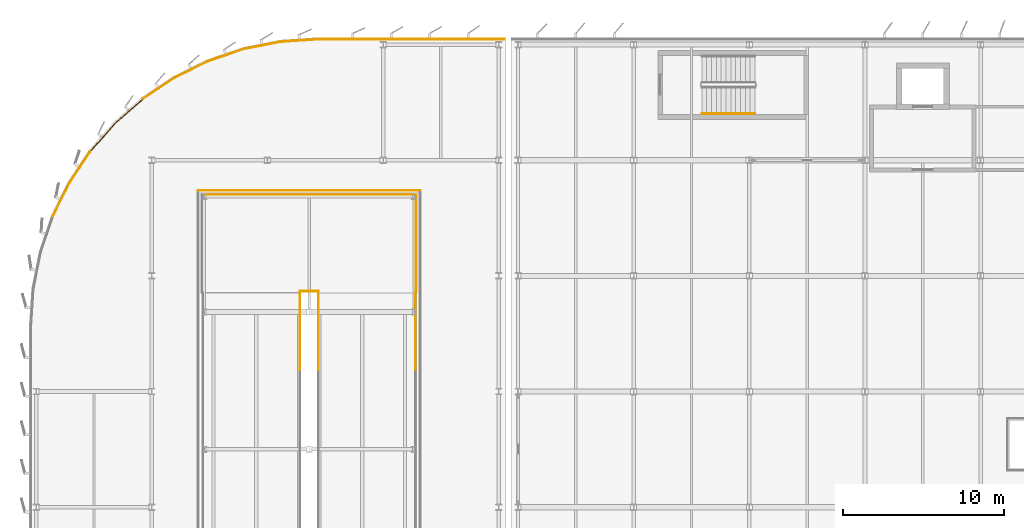
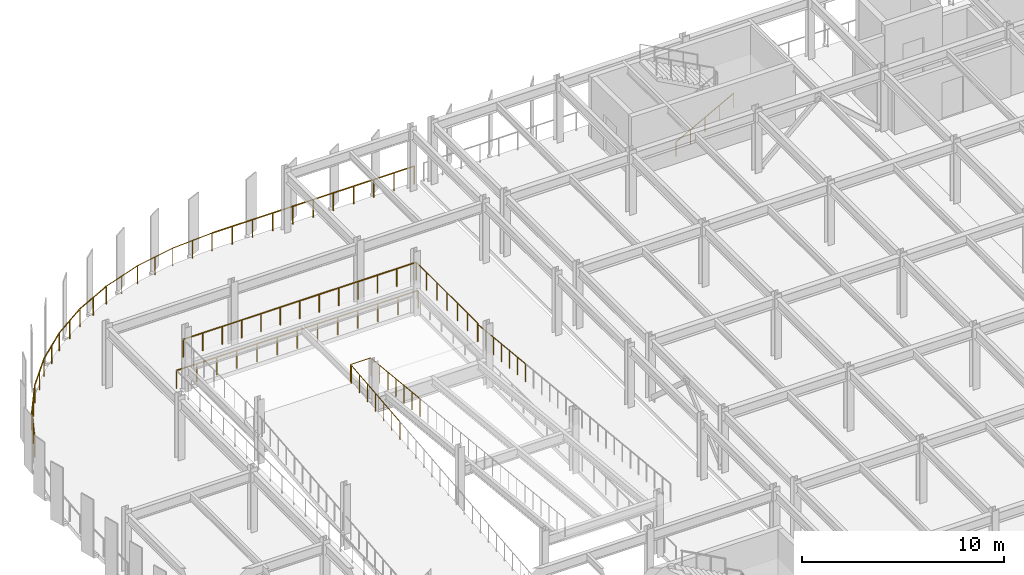
# One storey, part 65 of 80: 18 railings.
"""IFC4 building model written with IfcOpenShell, lengths in metres."""

from ifc_helpers import new_model, si_unit, direction, frame, origin, origin_2d, place, context, subcontext, project, spatial, circle, extrude, material, layer, layer_set, type_object, element, save


model = new_model("IFC4")

# Units and contexts
model_context = context("Model", 3, precision=1e-05, world=origin(), true_north=direction((0.0, 1.0)))
body_context = subcontext(model_context, "Body", "Model", "MODEL_VIEW")
ifc_project = project(units=[si_unit("LENGTHUNIT", "METRE"), si_unit("AREAUNIT", "SQUARE_METRE"), si_unit("VOLUMEUNIT", "CUBIC_METRE"), si_unit("PLANEANGLEUNIT", "RADIAN"), si_unit("MASSUNIT", "GRAM", prefix="KILO")], contexts=[model_context])

# Site, building, storey
site_placement = place(None, origin())
site = spatial("IfcSite", under=ifc_project, at=site_placement, CompositionType="ELEMENT")
building_placement = place(site_placement, origin())
building = spatial("IfcBuilding", under=site, at=building_placement, Name="Vaelcorin Mobility Hub", CompositionType="ELEMENT")
storey_placement = place(building_placement, frame((0.0, 0.0, 9.300048828125)))
storey = spatial("IfcBuildingStorey", under=building, at=storey_placement, Name="L02", CompositionType="ELEMENT", Elevation=9.300048828125)

# Railings
ifc_material_1 = material(Name="Galvanised structural steel ASTM A36", Category="steel")
ifc_layer_1 = layer(ifc_material_1, 0.070068359375)
ifc_layer_set_1 = layer_set([ifc_layer_1], Name="Galvanised structural steel ASTM A36")
railing_type_1 = type_object("IfcRailingType", Name="RL-GUARD-1100", PredefinedType="BALUSTRADE", material=ifc_layer_set_1)
railing_1_placement = place(storey_placement, frame((16.080078125, 110.919921875, 0.0)))
element("IfcRailing", 1, at=railing_1_placement, inside=storey, type_object=railing_type_1, Name="L02 Perimeter Guard GR-V2W-L02-WELL-02", PredefinedType="BALUSTRADE", context=body_context, shape_type="SweptSolid", body=[
    extrude(circle(Radius=0.02392578125, at=origin_2d()), frame((0.0, 0.0, 1.076171875), z_axis=(1.0, 0.0, 0.0), x_axis=(0.0, 1.0, 0.0)), (0.0, 0.0, 1.0), 13.83984375),
    extrude(circle(Radius=0.02099609375, at=origin_2d()), origin(), (0.0, 0.0, 1.0), 1.052001953125),
    extrude(circle(Radius=0.02099609375, at=origin_2d()), frame((1.1533203125, 0.0, 0.0)), (0.0, 0.0, 1.0), 1.052001953125),
    extrude(circle(Radius=0.02099609375, at=origin_2d()), frame((2.306640625, 0.0, 0.0)), (0.0, 0.0, 1.0), 1.052001953125),
    extrude(circle(Radius=0.02099609375, at=origin_2d()), frame((3.4599609375, 0.0, 0.0)), (0.0, 0.0, 1.0), 1.052001953125),
    extrude(circle(Radius=0.02099609375, at=origin_2d()), frame((4.61328125, 0.0, 0.0)), (0.0, 0.0, 1.0), 1.052001953125),
    extrude(circle(Radius=0.02099609375, at=origin_2d()), frame((5.7666015625, 0.0, 0.0)), (0.0, 0.0, 1.0), 1.052001953125),
    extrude(circle(Radius=0.02099609375, at=origin_2d()), frame((6.919921875, 0.0, 0.0)), (0.0, 0.0, 1.0), 1.052001953125),
    extrude(circle(Radius=0.02099609375, at=origin_2d()), frame((8.0732421875, 0.0, 0.0)), (0.0, 0.0, 1.0), 1.052001953125),
    extrude(circle(Radius=0.02099609375, at=origin_2d()), frame((9.2265625, 0.0, 0.0)), (0.0, 0.0, 1.0), 1.052001953125),
    extrude(circle(Radius=0.02099609375, at=origin_2d()), frame((10.3798828125, 0.0, 0.0)), (0.0, 0.0, 1.0), 1.052001953125),
    extrude(circle(Radius=0.02099609375, at=origin_2d()), frame((11.533203125, 0.0, 0.0)), (0.0, 0.0, 1.0), 1.052001953125),
    extrude(circle(Radius=0.02099609375, at=origin_2d()), frame((12.6865234375, 0.0, 0.0)), (0.0, 0.0, 1.0), 1.052001953125),
    extrude(circle(Radius=0.02099609375, at=origin_2d()), frame((13.83984375, 0.0, 0.0)), (0.0, 0.0, 1.0), 1.052001953125),
])
railing_2_placement = place(storey_placement, frame((22.419921875, 99.7451171875, 1.4619140625)))
element("IfcRailing", 2, at=railing_2_placement, inside=storey, type_object=railing_type_1, Name="L02 Ramp Guard GR-V2W-L02-FL1-E-04", PredefinedType="BALUSTRADE", context=body_context, shape_type="SweptSolid", body=[
    extrude(circle(Radius=0.02392578125, at=origin_2d()), frame((0.0, 0.0, 1.076171875), z_axis=(0.0, 0.994860105467, 0.10125892825), x_axis=(-1.0, 0.0, 0.0)), (0.0, 0.0, 1.0), 4.819580078125),
    extrude(circle(Radius=0.02099609375, at=origin_2d()), origin(), (0.0, 0.0, 1.0), 1.052001953125),
    extrude(circle(Radius=0.02099609375, at=origin_2d()), frame((0.0, 0.799072265625, 0.081298828125)), (0.0, 0.0, 1.0), 1.052001953125),
    extrude(circle(Radius=0.02099609375, at=origin_2d()), frame((0.0, 1.598388671875, 0.16259765625)), (0.0, 0.0, 1.0), 1.052001953125),
    extrude(circle(Radius=0.02099609375, at=origin_2d()), frame((0.0, 2.3974609375, 0.244140625)), (0.0, 0.0, 1.0), 1.052001953125),
    extrude(circle(Radius=0.02099609375, at=origin_2d()), frame((0.0, 3.196533203125, 0.325439453125)), (0.0, 0.0, 1.0), 1.052001953125),
    extrude(circle(Radius=0.02099609375, at=origin_2d()), frame((0.0, 3.995849609375, 0.40673828125)), (0.0, 0.0, 1.0), 1.052001953125),
    extrude(circle(Radius=0.02099609375, at=origin_2d()), frame((0.0, 4.794921875, 0.488037109375)), (0.0, 0.0, 1.0), 1.052001953125),
])
for number, where, name in (
    (3, (23.580078125, 104.5400390625, 1.949951171875), "L02 Ramp Guard GR-V2W-L02-FL2-W-01"),
    (4, (29.6201171875, 104.5400390625, 1.949951171875), "L02 Ramp Guard GR-V2W-L02-FL2-E-01"),
):
    element("IfcRailing", number, at=place(storey_placement, frame(where)), inside=storey, type_object=railing_type_1, Name=name, PredefinedType="BALUSTRADE", context=body_context, shape_type="SweptSolid", body=[
        extrude(circle(Radius=0.02392578125, at=origin_2d()), frame((0.0, 0.0, 1.076171875), z_axis=(0.0, -0.994860105467, 0.10125892825), x_axis=(1.0, 0.0, 0.0)), (0.0, 0.0, 1.0), 4.819580078125),
        extrude(circle(Radius=0.02099609375, at=origin_2d()), origin(), (0.0, 0.0, 1.0), 1.052001953125),
        extrude(circle(Radius=0.02099609375, at=origin_2d()), frame((0.0, -0.799072265625, 0.081298828125)), (0.0, 0.0, 1.0), 1.052001953125),
        extrude(circle(Radius=0.02099609375, at=origin_2d()), frame((0.0, -1.598388671875, 0.16259765625)), (0.0, 0.0, 1.0), 1.052001953125),
        extrude(circle(Radius=0.02099609375, at=origin_2d()), frame((0.0, -2.3974609375, 0.244140625)), (0.0, 0.0, 1.0), 1.052001953125),
        extrude(circle(Radius=0.02099609375, at=origin_2d()), frame((0.0, -3.196533203125, 0.325439453125)), (0.0, 0.0, 1.0), 1.052001953125),
        extrude(circle(Radius=0.02099609375, at=origin_2d()), frame((0.0, -3.995849609375, 0.40673828125)), (0.0, 0.0, 1.0), 1.052001953125),
        extrude(circle(Radius=0.02099609375, at=origin_2d()), frame((0.0, -4.794921875, 0.488037109375)), (0.0, 0.0, 1.0), 1.052001953125),
    ])
railing_3_placement = place(storey_placement, frame((16.330078125, 110.669921875, 1.949951171875)))
element("IfcRailing", 5, at=railing_3_placement, inside=storey, type_object=railing_type_1, Name="L02 Perimeter Guard GR-V2W-L02-LND-02", PredefinedType="BALUSTRADE", context=body_context, shape_type="SweptSolid", body=[
    extrude(circle(Radius=0.02392578125, at=origin_2d()), frame((0.0, 0.0, 1.076171875), z_axis=(1.0, 0.0, 0.0), x_axis=(0.0, 1.0, 0.0)), (0.0, 0.0, 1.0), 13.33984375),
    extrude(circle(Radius=0.02099609375, at=origin_2d()), origin(), (0.0, 0.0, 1.0), 1.052001953125),
    extrude(circle(Radius=0.02099609375, at=origin_2d()), frame((1.111572265625, 0.0, 0.0)), (0.0, 0.0, 1.0), 1.052001953125),
    extrude(circle(Radius=0.02099609375, at=origin_2d()), frame((2.223388671875, 0.0, 0.0)), (0.0, 0.0, 1.0), 1.052001953125),
    extrude(circle(Radius=0.02099609375, at=origin_2d()), frame((3.3349609375, 0.0, 0.0)), (0.0, 0.0, 1.0), 1.052001953125),
    extrude(circle(Radius=0.02099609375, at=origin_2d()), frame((4.446533203125, 0.0, 0.0)), (0.0, 0.0, 1.0), 1.052001953125),
    extrude(circle(Radius=0.02099609375, at=origin_2d()), frame((5.558349609375, 0.0, 0.0)), (0.0, 0.0, 1.0), 1.052001953125),
    extrude(circle(Radius=0.02099609375, at=origin_2d()), frame((6.669921875, 0.0, 0.0)), (0.0, 0.0, 1.0), 1.052001953125),
    extrude(circle(Radius=0.02099609375, at=origin_2d()), frame((7.781494140625, 0.0, 0.0)), (0.0, 0.0, 1.0), 1.052001953125),
    extrude(circle(Radius=0.02099609375, at=origin_2d()), frame((8.893310546875, 0.0, 0.0)), (0.0, 0.0, 1.0), 1.052001953125),
    extrude(circle(Radius=0.02099609375, at=origin_2d()), frame((10.0048828125, 0.0, 0.0)), (0.0, 0.0, 1.0), 1.052001953125),
    extrude(circle(Radius=0.02099609375, at=origin_2d()), frame((11.116455078125, 0.0, 0.0)), (0.0, 0.0, 1.0), 1.052001953125),
    extrude(circle(Radius=0.02099609375, at=origin_2d()), frame((12.228271484375, 0.0, 0.0)), (0.0, 0.0, 1.0), 1.052001953125),
    extrude(circle(Radius=0.02099609375, at=origin_2d()), frame((13.33984375, 0.0, 0.0)), (0.0, 0.0, 1.0), 1.052001953125),
])
railing_4_placement = place(storey_placement, frame((29.669921875, 110.669921875, 1.949951171875)))
element("IfcRailing", 6, at=railing_4_placement, inside=storey, type_object=railing_type_1, Name="L02 Perimeter Guard GR-V2W-L02-LND-03", PredefinedType="BALUSTRADE", context=body_context, shape_type="SweptSolid", body=[
    extrude(circle(Radius=0.02392578125, at=origin_2d()), frame((0.0, 0.0, 1.076171875), z_axis=(0.0, -1.0, 0.0), x_axis=(1.0, 0.0, 0.0)), (0.0, 0.0, 1.0), 6.10986328125),
    extrude(circle(Radius=0.02099609375, at=origin_2d()), origin(), (0.0, 0.0, 1.0), 1.052001953125),
    extrude(circle(Radius=0.02099609375, at=origin_2d()), frame((0.0, -1.018310546875, 0.0)), (0.0, 0.0, 1.0), 1.052001953125),
    extrude(circle(Radius=0.02099609375, at=origin_2d()), frame((0.0, -2.03662109375, 0.0)), (0.0, 0.0, 1.0), 1.052001953125),
    extrude(circle(Radius=0.02099609375, at=origin_2d()), frame((0.0, -3.054931640625, 0.0)), (0.0, 0.0, 1.0), 1.052001953125),
    extrude(circle(Radius=0.02099609375, at=origin_2d()), frame((0.0, -4.0732421875, 0.0)), (0.0, 0.0, 1.0), 1.052001953125),
    extrude(circle(Radius=0.02099609375, at=origin_2d()), frame((0.0, -5.091552734375, 0.0)), (0.0, 0.0, 1.0), 1.052001953125),
    extrude(circle(Radius=0.02099609375, at=origin_2d()), frame((0.0, -6.10986328125, 0.0)), (0.0, 0.0, 1.0), 1.052001953125),
])
railing_5_placement = place(storey_placement, frame((22.419921875, 104.639892578125, 1.949951171875)))
element("IfcRailing", 7, at=railing_5_placement, inside=storey, type_object=railing_type_1, Name="L02 Perimeter Guard GR-V2W-L02-LND-MED-01", PredefinedType="BALUSTRADE", context=body_context, shape_type="SweptSolid", body=[
    extrude(circle(Radius=0.02392578125, at=origin_2d()), frame((0.0, 0.0, 1.076171875), z_axis=(1.0, 0.0, 0.0), x_axis=(0.0, 1.0, 0.0)), (0.0, 0.0, 1.0), 1.16015625),
    extrude(circle(Radius=0.02099609375, at=origin_2d()), origin(), (0.0, 0.0, 1.0), 1.052001953125),
    extrude(circle(Radius=0.02099609375, at=origin_2d()), frame((1.16015625, 0.0, 0.0)), (0.0, 0.0, 1.0), 1.052001953125),
])
railing_6_placement = place(storey_placement, frame((7.031005859375, 109.2919921875, 0.0)))
element("IfcRailing", 8, at=railing_6_placement, inside=storey, type_object=railing_type_1, Name="L02 Perimeter Guard GR-V2W-L02-06", PredefinedType="BALUSTRADE", context=body_context, shape_type="SweptSolid", body=[
    extrude(circle(Radius=0.02392578125, at=origin_2d()), frame((0.0, 0.0, 1.076171875), z_axis=(0.442070481095, 0.896980317367, 0.0), x_axis=(-0.896980317367, 0.442070481095, 0.0)), (0.0, 0.0, 1.0), 2.3388671875),
    extrude(circle(Radius=0.02099609375, at=origin_2d()), origin(), (0.0, 0.0, 1.0), 1.052001953125),
    extrude(circle(Radius=0.02099609375, at=origin_2d()), frame((0.51708984375, 1.048828125, 0.0)), (0.0, 0.0, 1.0), 1.052001953125),
    extrude(circle(Radius=0.02099609375, at=origin_2d()), frame((1.033935546875, 2.097900390625, 0.0)), (0.0, 0.0, 1.0), 1.052001953125),
])
railing_7_placement = place(storey_placement, frame((8.06494140625, 111.389892578125, 0.0)))
element("IfcRailing", 9, at=railing_7_placement, inside=storey, type_object=railing_type_1, Name="L02 Perimeter Guard GR-V2W-L02-07", PredefinedType="BALUSTRADE", context=body_context, shape_type="SweptSolid", body=[
    extrude(circle(Radius=0.02392578125, at=origin_2d()), frame((0.0, 0.0, 1.076171875), z_axis=(0.555687158809, 0.831391473095, 0.0), x_axis=(-0.831391473095, 0.555687158809, 0.0)), (0.0, 0.0, 1.0), 2.339599609375),
    extrude(circle(Radius=0.02099609375, at=origin_2d()), origin(), (0.0, 0.0, 1.0), 1.052001953125),
    extrude(circle(Radius=0.02099609375, at=origin_2d()), frame((0.64990234375, 0.97265625, 0.0)), (0.0, 0.0, 1.0), 1.052001953125),
    extrude(circle(Radius=0.02099609375, at=origin_2d()), frame((1.300048828125, 1.945068359375, 0.0)), (0.0, 0.0, 1.0), 1.052001953125),
])
railing_8_placement = place(storey_placement, frame((9.364990234375, 113.3349609375, 0.0)))
element("IfcRailing", 10, at=railing_8_placement, inside=storey, type_object=railing_type_1, Name="L02 Perimeter Guard GR-V2W-L02-08", PredefinedType="BALUSTRADE", context=body_context, shape_type="SweptSolid", body=[
    extrude(circle(Radius=0.02392578125, at=origin_2d()), frame((0.0, 0.0, 1.076171875), z_axis=(0.659398483057, 0.751793615657, 0.0), x_axis=(-0.751793615657, 0.659398483057, 0.0)), (0.0, 0.0, 1.0), 2.33837890625),
    extrude(circle(Radius=0.02099609375, at=origin_2d()), origin(), (0.0, 0.0, 1.0), 1.052001953125),
    extrude(circle(Radius=0.02099609375, at=origin_2d()), frame((0.77099609375, 0.87890625, 0.0)), (0.0, 0.0, 1.0), 1.052001953125),
    extrude(circle(Radius=0.02099609375, at=origin_2d()), frame((1.5419921875, 1.758056640625, 0.0)), (0.0, 0.0, 1.0), 1.052001953125),
])
railing_9_placement = place(storey_placement, frame((10.906982421875, 115.093017578125, 0.0)))
element("IfcRailing", 11, at=railing_9_placement, inside=storey, type_object=railing_type_1, Name="L02 Perimeter Guard GR-V2W-L02-09", PredefinedType="BALUSTRADE", context=body_context, shape_type="SweptSolid", body=[
    extrude(circle(Radius=0.02392578125, at=origin_2d()), frame((0.0, 0.0, 1.076171875), z_axis=(0.751793615657, 0.659398483057, 0.0), x_axis=(-0.659398483057, 0.751793615657, 0.0)), (0.0, 0.0, 1.0), 2.33837890625),
    extrude(circle(Radius=0.02099609375, at=origin_2d()), origin(), (0.0, 0.0, 1.0), 1.052001953125),
    extrude(circle(Radius=0.02099609375, at=origin_2d()), frame((0.87890625, 0.77099609375, 0.0)), (0.0, 0.0, 1.0), 1.052001953125),
    extrude(circle(Radius=0.02099609375, at=origin_2d()), frame((1.758056640625, 1.5419921875, 0.0)), (0.0, 0.0, 1.0), 1.052001953125),
])
railing_10_placement = place(storey_placement, frame((12.6650390625, 116.635009765625, 0.0)))
element("IfcRailing", 12, at=railing_10_placement, inside=storey, type_object=railing_type_1, Name="L02 Perimeter Guard GR-V2W-L02-10", PredefinedType="BALUSTRADE", context=body_context, shape_type="SweptSolid", body=[
    extrude(circle(Radius=0.02392578125, at=origin_2d()), frame((0.0, 0.0, 1.076171875), z_axis=(0.831391473095, 0.555687158809, 0.0), x_axis=(-0.555687158809, 0.831391473095, 0.0)), (0.0, 0.0, 1.0), 2.339599609375),
    extrude(circle(Radius=0.02099609375, at=origin_2d()), origin(), (0.0, 0.0, 1.0), 1.052001953125),
    extrude(circle(Radius=0.02099609375, at=origin_2d()), frame((0.97265625, 0.64990234375, 0.0)), (0.0, 0.0, 1.0), 1.052001953125),
    extrude(circle(Radius=0.02099609375, at=origin_2d()), frame((1.945068359375, 1.300048828125, 0.0)), (0.0, 0.0, 1.0), 1.052001953125),
])
railing_11_placement = place(storey_placement, frame((14.610107421875, 117.93505859375, 0.0)))
element("IfcRailing", 13, at=railing_11_placement, inside=storey, type_object=railing_type_1, Name="L02 Perimeter Guard GR-V2W-L02-11", PredefinedType="BALUSTRADE", context=body_context, shape_type="SweptSolid", body=[
    extrude(circle(Radius=0.02392578125, at=origin_2d()), frame((0.0, 0.0, 1.076171875), z_axis=(0.896980317367, 0.442070481095, 0.0), x_axis=(-0.442070481095, 0.896980317367, 0.0)), (0.0, 0.0, 1.0), 2.3388671875),
    extrude(circle(Radius=0.02099609375, at=origin_2d()), origin(), (0.0, 0.0, 1.0), 1.052001953125),
    extrude(circle(Radius=0.02099609375, at=origin_2d()), frame((1.048828125, 0.51708984375, 0.0)), (0.0, 0.0, 1.0), 1.052001953125),
    extrude(circle(Radius=0.02099609375, at=origin_2d()), frame((2.097900390625, 1.033935546875, 0.0)), (0.0, 0.0, 1.0), 1.052001953125),
])
railing_12_placement = place(storey_placement, frame((16.7080078125, 118.968994140625, 0.0)))
element("IfcRailing", 14, at=railing_12_placement, inside=storey, type_object=railing_type_1, Name="L02 Perimeter Guard GR-V2W-L02-12", PredefinedType="BALUSTRADE", context=body_context, shape_type="SweptSolid", body=[
    extrude(circle(Radius=0.02392578125, at=origin_2d()), frame((0.0, 0.0, 1.076171875), z_axis=(0.946882788431, 0.321578893855, 0.0), x_axis=(-0.321578893855, 0.946882788431, 0.0)), (0.0, 0.0, 1.0), 2.33837890625),
    extrude(circle(Radius=0.02099609375, at=origin_2d()), origin(), (0.0, 0.0, 1.0), 1.052001953125),
    extrude(circle(Radius=0.02099609375, at=origin_2d()), frame((1.10693359375, 0.3759765625, 0.0)), (0.0, 0.0, 1.0), 1.052001953125),
    extrude(circle(Radius=0.02099609375, at=origin_2d()), frame((2.214111328125, 0.751953125, 0.0)), (0.0, 0.0, 1.0), 1.052001953125),
])
railing_13_placement = place(storey_placement, frame((18.922119140625, 119.720947265625, 0.0)))
element("IfcRailing", 15, at=railing_13_placement, inside=storey, type_object=railing_type_1, Name="L02 Perimeter Guard GR-V2W-L02-13", PredefinedType="BALUSTRADE", context=body_context, shape_type="SweptSolid", body=[
    extrude(circle(Radius=0.02392578125, at=origin_2d()), frame((0.0, 0.0, 1.076171875), z_axis=(0.980804861331, 0.194991856212, 0.0), x_axis=(-0.194991856212, 0.980804861331, 0.0)), (0.0, 0.0, 1.0), 2.3388671875),
    extrude(circle(Radius=0.02099609375, at=origin_2d()), origin(), (0.0, 0.0, 1.0), 1.052001953125),
    extrude(circle(Radius=0.02099609375, at=origin_2d()), frame((1.14697265625, 0.22802734375, 0.0)), (0.0, 0.0, 1.0), 1.052001953125),
    extrude(circle(Radius=0.02099609375, at=origin_2d()), frame((2.2939453125, 0.4560546875, 0.0)), (0.0, 0.0, 1.0), 1.052001953125),
])
railing_14_placement = place(storey_placement, frame((21.216064453125, 120.177001953125, 0.0)))
element("IfcRailing", 16, at=railing_14_placement, inside=storey, type_object=railing_type_1, Name="L02 Perimeter Guard GR-V2W-L02-14", PredefinedType="BALUSTRADE", context=body_context, shape_type="SweptSolid", body=[
    extrude(circle(Radius=0.02392578125, at=origin_2d()), frame((0.0, 0.0, 1.076171875), z_axis=(0.99785616691, 0.065445169106, 0.0), x_axis=(-0.065445169106, 0.99785616691, 0.0)), (0.0, 0.0, 1.0), 2.339111328125),
    extrude(circle(Radius=0.02099609375, at=origin_2d()), origin(), (0.0, 0.0, 1.0), 1.052001953125),
    extrude(circle(Radius=0.02099609375, at=origin_2d()), frame((1.1669921875, 0.07666015625, 0.0)), (0.0, 0.0, 1.0), 1.052001953125),
    extrude(circle(Radius=0.02099609375, at=origin_2d()), frame((2.333984375, 0.153076171875, 0.0)), (0.0, 0.0, 1.0), 1.052001953125),
])
railing_15_placement = place(storey_placement, frame((23.550048828125, 120.330078125, 0.0)))
element("IfcRailing", 17, at=railing_15_placement, inside=storey, type_object=railing_type_1, Name="L02 Perimeter Guard GR-V2W-L02-15", PredefinedType="BALUSTRADE", context=body_context, shape_type="SweptSolid", body=[
    extrude(circle(Radius=0.02392578125, at=origin_2d()), frame((0.0, 0.0, 1.076171875), z_axis=(1.0, 0.0, 0.0), x_axis=(0.0, 1.0, 0.0)), (0.0, 0.0, 1.0), 11.579833984375),
    extrude(circle(Radius=0.02099609375, at=origin_2d()), origin(), (0.0, 0.0, 1.0), 1.052001953125),
    extrude(circle(Radius=0.02099609375, at=origin_2d()), frame((1.157958984375, 0.0, 0.0)), (0.0, 0.0, 1.0), 1.052001953125),
    extrude(circle(Radius=0.02099609375, at=origin_2d()), frame((2.31591796875, 0.0, 0.0)), (0.0, 0.0, 1.0), 1.052001953125),
    extrude(circle(Radius=0.02099609375, at=origin_2d()), frame((3.473876953125, 0.0, 0.0)), (0.0, 0.0, 1.0), 1.052001953125),
    extrude(circle(Radius=0.02099609375, at=origin_2d()), frame((4.6318359375, 0.0, 0.0)), (0.0, 0.0, 1.0), 1.052001953125),
    extrude(circle(Radius=0.02099609375, at=origin_2d()), frame((5.7900390625, 0.0, 0.0)), (0.0, 0.0, 1.0), 1.052001953125),
    extrude(circle(Radius=0.02099609375, at=origin_2d()), frame((6.947998046875, 0.0, 0.0)), (0.0, 0.0, 1.0), 1.052001953125),
    extrude(circle(Radius=0.02099609375, at=origin_2d()), frame((8.10595703125, 0.0, 0.0)), (0.0, 0.0, 1.0), 1.052001953125),
    extrude(circle(Radius=0.02099609375, at=origin_2d()), frame((9.263916015625, 0.0, 0.0)), (0.0, 0.0, 1.0), 1.052001953125),
    extrude(circle(Radius=0.02099609375, at=origin_2d()), frame((10.421875, 0.0, 0.0)), (0.0, 0.0, 1.0), 1.052001953125),
    extrude(circle(Radius=0.02099609375, at=origin_2d()), frame((11.579833984375, 0.0, 0.0)), (0.0, 0.0, 1.0), 1.052001953125),
])
ifc_material_2 = material(Name="Brushed stainless steel 316L", Category="steel")
ifc_layer_2 = layer(ifc_material_2, 0.048095703125)
ifc_layer_set_2 = layer_set([ifc_layer_2], Name="Brushed stainless steel 316L")
railing_type_2 = type_object("IfcRailingType", Name="RL-STAIR-HR", PredefinedType="HANDRAIL", material=ifc_layer_set_2)
railing_16_placement = place(storey_placement, frame((47.449951171875, 115.699951171875, 0.162353515625)))
element("IfcRailing", 18, at=railing_16_placement, inside=storey, type_object=railing_type_2, Name="L02 ST3 stair handrail 1", PredefinedType="HANDRAIL", context=body_context, shape_type="SweptSolid", body=[
    extrude(circle(Radius=0.02392578125, at=origin_2d()), frame((0.0, 0.0, 0.8759765625), z_axis=(0.879284020681, 0.0, 0.476297817521), x_axis=(0.0, 1.0, 0.0)), (0.0, 0.0, 1.0), 3.753173828125),
    extrude(circle(Radius=0.02099609375, at=origin_2d()), origin(), (0.0, 0.0, 1.0), 0.851806640625),
    extrude(circle(Radius=0.02099609375, at=origin_2d()), frame((0.824951171875, 0.0, 0.44677734375)), (0.0, 0.0, 1.0), 0.851806640625),
    extrude(circle(Radius=0.02099609375, at=origin_2d()), frame((1.64990234375, 0.0, 0.893798828125)), (0.0, 0.0, 1.0), 0.851806640625),
    extrude(circle(Radius=0.02099609375, at=origin_2d()), frame((2.47509765625, 0.0, 1.3408203125)), (0.0, 0.0, 1.0), 0.851806640625),
    extrude(circle(Radius=0.02099609375, at=origin_2d()), frame((3.300048828125, 0.0, 1.78759765625)), (0.0, 0.0, 1.0), 0.851806640625),
])

save(model, "model.ifc")
